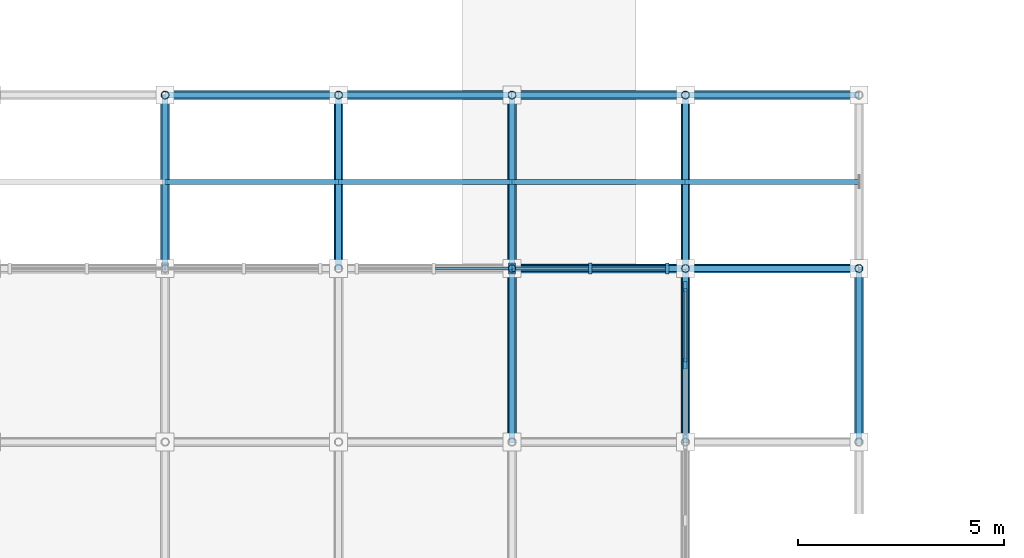
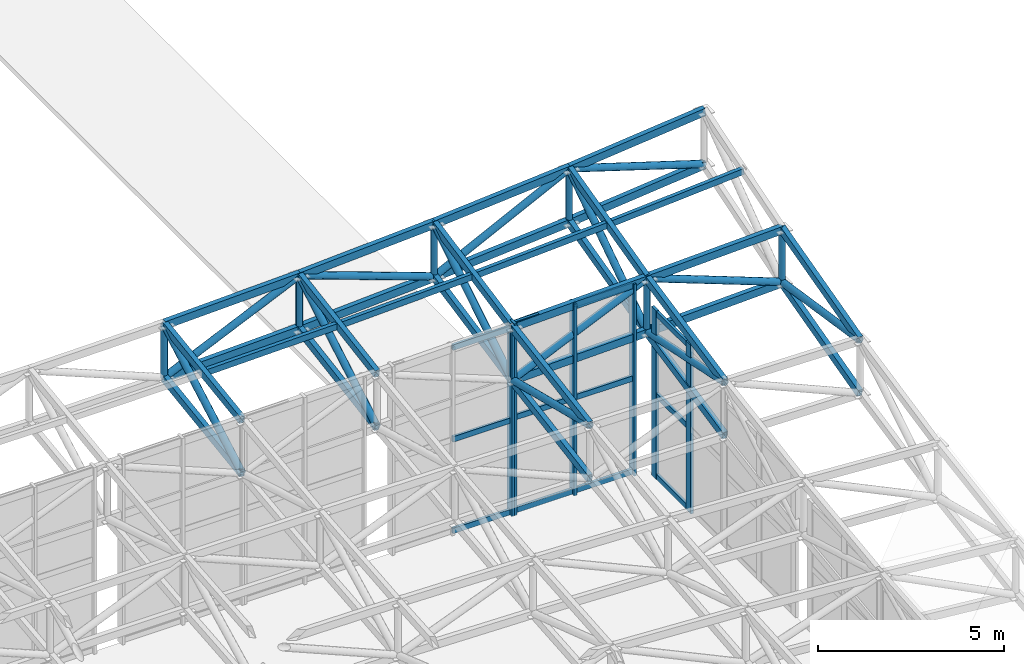
# One storey, part 36 of 132: 68 members, 3 elements without a shape of their own.
"""IFC4 building model written with IfcOpenShell, lengths in metres."""

from ifc_helpers import new_model, si_unit, direction, frame, origin, origin_2d, place, context, subcontext, project, spatial, rectangle, hollow_rectangle, hollow_circle, extrude, material, material_profile, profile_set, type_object, element, aggregate, save


model = new_model("IFC4")

# Units and contexts
model_context = context("Model", 3, precision=1e-05, world=origin(), true_north=direction((0.0, 1.0)))
body_context = subcontext(model_context, "Body", "Model", "MODEL_VIEW")
ifc_project = project(units=[si_unit("LENGTHUNIT", "METRE"), si_unit("AREAUNIT", "SQUARE_METRE"), si_unit("VOLUMEUNIT", "CUBIC_METRE"), si_unit("PLANEANGLEUNIT", "RADIAN"), si_unit("MASSUNIT", "GRAM", prefix="KILO")], contexts=[model_context])

# Site, building, storey
site_placement = place(None, origin())
site = spatial("IfcSite", under=ifc_project, at=site_placement, CompositionType="ELEMENT")
building_placement = place(site_placement, origin())
building = spatial("IfcBuilding", under=site, at=building_placement, Name="Cumbredor Promenade Congress Hotel", CompositionType="ELEMENT")
storey_placement = place(building_placement, frame((0.0, 0.0, 7.56005859375)))
storey = spatial("IfcBuildingStorey", under=building, at=storey_placement, Name="L02", CompositionType="ELEMENT", Elevation=7.56005859375)

# Curtain wall, member
ifc_material_1 = material(Name="Thermally broken anodized aluminium and low-E glass", Category="aluminium")
curtain_wall_type = type_object("IfcCurtainWallType", Name="Stepped Pavilion Clerestory Curtain Wall CW-06", PredefinedType="NOTDEFINED", material=ifc_material_1)
curtain_wall_1_placement = place(storey_placement, origin())
curtain_wall_1 = element("IfcCurtainWall", 1, at=curtain_wall_1_placement, inside=storey, type_object=curtain_wall_type, Name="Thermal Spa and Hydrotherapy Pavilion N Glazed Clerestory 7", PredefinedType="NOTDEFINED")
ifc_material_2 = material(Name="Thermally broken anodized aluminium", Category="aluminium")
ifc_material_profile_1 = material_profile(ifc_material_2, rectangle(XDim=0.0849609375, YDim=0.260009765625, at=origin_2d()), Name="ALU MULLION CLERESTORY 85x260")
ifc_profile_set_1 = profile_set([ifc_material_profile_1], Name="Thermally broken anodized aluminium")
member_type_1 = type_object("IfcMemberType", Name="Curtain Wall Mullion ML-04", PredefinedType="MULLION", material=ifc_profile_set_1)
member_1_placement = place(storey_placement, frame((104.9599609375, 50.39990234375, -0.01806640625), z_axis=(0.0, 0.0, 1.0), x_axis=(1.0, 0.0, 0.0)))
member_1 = element("IfcMember", 2, at=member_1_placement, type_object=member_type_1, Name="Thermal Spa and Hydrotherapy Pavilion N Glazed Clerestory 7 Mullion 3", PredefinedType="MULLION", context=body_context, shape_type="SweptSolid", body=[
    extrude(rectangle(XDim=0.0849609375, YDim=0.260009765625, at=origin_2d()), origin(), (0.0, 0.0, 1.0), 6.227294921875),
])

# Curtain wall, members
curtain_wall_2_placement = place(storey_placement, origin())
curtain_wall_2 = element("IfcCurtainWall", 3, at=curtain_wall_2_placement, inside=storey, type_object=curtain_wall_type, Name="Thermal Spa and Hydrotherapy Pavilion N Glazed Clerestory 8", PredefinedType="NOTDEFINED")
member_2_placement = place(storey_placement, frame((105.0400390625, 50.39990234375, -0.01806640625), z_axis=(0.0, 0.0, 1.0), x_axis=(1.0, 0.0, 0.0)))
member_2 = element("IfcMember", 4, at=member_2_placement, type_object=member_type_1, Name="Thermal Spa and Hydrotherapy Pavilion N Glazed Clerestory 8 Mullion 1", PredefinedType="MULLION", context=body_context, shape_type="SweptSolid", body=[
    extrude(rectangle(XDim=0.0849609375, YDim=0.260009765625, at=origin_2d()), origin(), (0.0, 0.0, 1.0), 6.31103515625),
])
member_3_placement = place(storey_placement, frame((106.89990234375, 50.39990234375, -0.01806640625), z_axis=(0.0, 0.0, 1.0), x_axis=(1.0, 0.0, 0.0)))
member_3 = element("IfcMember", 5, at=member_3_placement, type_object=member_type_1, Name="Thermal Spa and Hydrotherapy Pavilion N Glazed Clerestory 8 Mullion 2", PredefinedType="MULLION", context=body_context, shape_type="SweptSolid", body=[
    extrude(rectangle(XDim=0.0849609375, YDim=0.260009765625, at=origin_2d()), origin(), (0.0, 0.0, 1.0), 6.31103515625),
])
member_4_placement = place(storey_placement, frame((108.760009765625, 50.39990234375, -0.01806640625), z_axis=(0.0, 0.0, 1.0), x_axis=(1.0, 0.0, 0.0)))
member_4 = element("IfcMember", 6, at=member_4_placement, type_object=member_type_1, Name="Thermal Spa and Hydrotherapy Pavilion N Glazed Clerestory 8 Mullion 3", PredefinedType="MULLION", context=body_context, shape_type="SweptSolid", body=[
    extrude(rectangle(XDim=0.0849609375, YDim=0.260009765625, at=origin_2d()), origin(), (0.0, 0.0, 1.0), 6.31103515625),
])

curtain_wall_3_placement = place(storey_placement, origin())
curtain_wall_3 = element("IfcCurtainWall", 7, at=curtain_wall_3_placement, inside=storey, type_object=curtain_wall_type, Name="Thermal Spa and Hydrotherapy Pavilion E Glazed Clerestory 10", PredefinedType="NOTDEFINED")
member_5_placement = place(storey_placement, frame((109.199951171875, 48.10009765625, -0.01806640625), z_axis=(0.0, 0.0, 1.0), x_axis=(1.0, 0.0, 0.0)))
member_5 = element("IfcMember", 8, at=member_5_placement, type_object=member_type_1, Name="Thermal Spa and Hydrotherapy Pavilion E Glazed Clerestory 10 Mullion 2", PredefinedType="MULLION", context=body_context, shape_type="SweptSolid", body=[
    extrude(rectangle(XDim=0.0849609375, YDim=0.260009765625, at=origin_2d()), origin(), (0.0, 0.0, 1.0), 5.54931640625),
])
member_6_placement = place(storey_placement, frame((109.199951171875, 49.9599609375, -0.01806640625), z_axis=(0.0, 0.0, 1.0), x_axis=(1.0, 0.0, 0.0)))
member_6 = element("IfcMember", 9, at=member_6_placement, type_object=member_type_1, Name="Thermal Spa and Hydrotherapy Pavilion E Glazed Clerestory 10 Mullion 3", PredefinedType="MULLION", context=body_context, shape_type="SweptSolid", body=[
    extrude(rectangle(XDim=0.0849609375, YDim=0.260009765625, at=origin_2d()), origin(), (0.0, 0.0, 1.0), 5.54931640625),
])

# Member
ifc_material_profile_2 = material_profile(ifc_material_2, rectangle(XDim=0.080078125, YDim=0.179931640625, at=origin_2d()), Name="ALU TRANSOM 80x180")
ifc_profile_set_2 = profile_set([ifc_material_profile_2], Name="Thermally broken anodized aluminium")
member_type_2 = type_object("IfcMemberType", Name="Curtain Wall Transom TR-03", PredefinedType="USERDEFINED", material=ifc_profile_set_2)
member_7_placement = place(storey_placement, frame((103.142578125, 50.39990234375, 0.079833984375), z_axis=(1.0, 0.0, 0.0), x_axis=(0.0, 1.0, 0.0)))
member_7 = element("IfcMember", 10, at=member_7_placement, type_object=member_type_2, Name="Thermal Spa and Hydrotherapy Pavilion N Glazed Clerestory 7 Transom 2.1", ObjectType="TRANSOM", PredefinedType="USERDEFINED", context=body_context, shape_type="SweptSolid", body=[
    extrude(rectangle(XDim=0.080078125, YDim=0.179931640625, at=origin_2d()), origin(), (0.0, 0.0, 1.0), 1.77490234375),
])

member_8_placement = place(storey_placement, frame((103.142578125, 50.39990234375, 3.08984375), z_axis=(1.0, 0.0, 0.0), x_axis=(0.0, 1.0, 0.0)))
member_8 = element("IfcMember", 11, at=member_8_placement, type_object=member_type_2, Name="Thermal Spa and Hydrotherapy Pavilion N Glazed Clerestory 7 Transom 2.2", ObjectType="TRANSOM", PredefinedType="USERDEFINED", context=body_context, shape_type="SweptSolid", body=[
    extrude(rectangle(XDim=0.080078125, YDim=0.179931640625, at=origin_2d()), origin(), (0.0, 0.0, 1.0), 1.77490234375),
])

member_9_placement = place(storey_placement, frame((103.142578125, 50.39990234375, 6.10986328125), z_axis=(1.0, 0.0, 0.0), x_axis=(0.0, 1.0, 0.0)))
member_9 = element("IfcMember", 12, at=member_9_placement, type_object=member_type_2, Name="Thermal Spa and Hydrotherapy Pavilion N Glazed Clerestory 7 Transom 2.3", ObjectType="TRANSOM", PredefinedType="USERDEFINED", context=body_context, shape_type="SweptSolid", body=[
    extrude(rectangle(XDim=0.080078125, YDim=0.179931640625, at=origin_2d()), origin(), (0.0, 0.0, 1.0), 1.77490234375),
])

aggregate(curtain_wall_1, [member_1, member_7, member_8, member_9])

member_10_placement = place(storey_placement, frame((105.08251953125, 50.39990234375, 0.079833984375), z_axis=(1.0, 0.0, 0.0), x_axis=(0.0, 1.0, 0.0)))
member_10 = element("IfcMember", 13, at=member_10_placement, type_object=member_type_2, Name="Thermal Spa and Hydrotherapy Pavilion N Glazed Clerestory 8 Transom 1.1", ObjectType="TRANSOM", PredefinedType="USERDEFINED", context=body_context, shape_type="SweptSolid", body=[
    extrude(rectangle(XDim=0.080078125, YDim=0.179931640625, at=origin_2d()), origin(), (0.0, 0.0, 1.0), 1.77490234375),
])

member_11_placement = place(storey_placement, frame((105.08251953125, 50.39990234375, 3.139892578125), z_axis=(1.0, 0.0, 0.0), x_axis=(0.0, 1.0, 0.0)))
member_11 = element("IfcMember", 14, at=member_11_placement, type_object=member_type_2, Name="Thermal Spa and Hydrotherapy Pavilion N Glazed Clerestory 8 Transom 1.2", ObjectType="TRANSOM", PredefinedType="USERDEFINED", context=body_context, shape_type="SweptSolid", body=[
    extrude(rectangle(XDim=0.080078125, YDim=0.179931640625, at=origin_2d()), origin(), (0.0, 0.0, 1.0), 1.77490234375),
])

member_12_placement = place(storey_placement, frame((105.08251953125, 50.39990234375, 6.199951171875), z_axis=(1.0, 0.0, 0.0), x_axis=(0.0, 1.0, 0.0)))
member_12 = element("IfcMember", 15, at=member_12_placement, type_object=member_type_2, Name="Thermal Spa and Hydrotherapy Pavilion N Glazed Clerestory 8 Transom 1.3", ObjectType="TRANSOM", PredefinedType="USERDEFINED", context=body_context, shape_type="SweptSolid", body=[
    extrude(rectangle(XDim=0.080078125, YDim=0.179931640625, at=origin_2d()), origin(), (0.0, 0.0, 1.0), 1.77490234375),
])

member_13_placement = place(storey_placement, frame((106.9423828125, 50.39990234375, 0.079833984375), z_axis=(1.0, 0.0, 0.0), x_axis=(0.0, 1.0, 0.0)))
member_13 = element("IfcMember", 16, at=member_13_placement, type_object=member_type_2, Name="Thermal Spa and Hydrotherapy Pavilion N Glazed Clerestory 8 Transom 2.1", ObjectType="TRANSOM", PredefinedType="USERDEFINED", context=body_context, shape_type="SweptSolid", body=[
    extrude(rectangle(XDim=0.080078125, YDim=0.179931640625, at=origin_2d()), origin(), (0.0, 0.0, 1.0), 1.775146484375),
])

member_14_placement = place(storey_placement, frame((106.9423828125, 50.39990234375, 3.139892578125), z_axis=(1.0, 0.0, 0.0), x_axis=(0.0, 1.0, 0.0)))
member_14 = element("IfcMember", 17, at=member_14_placement, type_object=member_type_2, Name="Thermal Spa and Hydrotherapy Pavilion N Glazed Clerestory 8 Transom 2.2", ObjectType="TRANSOM", PredefinedType="USERDEFINED", context=body_context, shape_type="SweptSolid", body=[
    extrude(rectangle(XDim=0.080078125, YDim=0.179931640625, at=origin_2d()), origin(), (0.0, 0.0, 1.0), 1.775146484375),
])

member_15_placement = place(storey_placement, frame((106.9423828125, 50.39990234375, 6.199951171875), z_axis=(1.0, 0.0, 0.0), x_axis=(0.0, 1.0, 0.0)))
member_15 = element("IfcMember", 18, at=member_15_placement, type_object=member_type_2, Name="Thermal Spa and Hydrotherapy Pavilion N Glazed Clerestory 8 Transom 2.3", ObjectType="TRANSOM", PredefinedType="USERDEFINED", context=body_context, shape_type="SweptSolid", body=[
    extrude(rectangle(XDim=0.080078125, YDim=0.179931640625, at=origin_2d()), origin(), (0.0, 0.0, 1.0), 1.775146484375),
])

aggregate(curtain_wall_2, [member_2, member_3, member_4, member_10, member_11, member_12, member_13, member_14, member_15])

member_16_placement = place(storey_placement, frame((109.199951171875, 48.142578125, 0.079833984375), z_axis=(0.0, 1.0, 0.0), x_axis=(-1.0, 0.0, 0.0)))
member_16 = element("IfcMember", 19, at=member_16_placement, type_object=member_type_2, Name="Thermal Spa and Hydrotherapy Pavilion E Glazed Clerestory 10 Transom 2.1", ObjectType="TRANSOM", PredefinedType="USERDEFINED", context=body_context, shape_type="SweptSolid", body=[
    extrude(rectangle(XDim=0.080078125, YDim=0.179931640625, at=origin_2d()), origin(), (0.0, 0.0, 1.0), 1.77490234375),
])

member_17_placement = place(storey_placement, frame((109.199951171875, 48.142578125, 2.75), z_axis=(0.0, 1.0, 0.0), x_axis=(-1.0, 0.0, 0.0)))
member_17 = element("IfcMember", 20, at=member_17_placement, type_object=member_type_2, Name="Thermal Spa and Hydrotherapy Pavilion E Glazed Clerestory 10 Transom 2.2", ObjectType="TRANSOM", PredefinedType="USERDEFINED", context=body_context, shape_type="SweptSolid", body=[
    extrude(rectangle(XDim=0.080078125, YDim=0.179931640625, at=origin_2d()), origin(), (0.0, 0.0, 1.0), 1.77490234375),
])

member_18_placement = place(storey_placement, frame((109.199951171875, 48.142578125, 5.429931640625), z_axis=(0.0, 1.0, 0.0), x_axis=(-1.0, 0.0, 0.0)))
member_18 = element("IfcMember", 21, at=member_18_placement, type_object=member_type_2, Name="Thermal Spa and Hydrotherapy Pavilion E Glazed Clerestory 10 Transom 2.3", ObjectType="TRANSOM", PredefinedType="USERDEFINED", context=body_context, shape_type="SweptSolid", body=[
    extrude(rectangle(XDim=0.080078125, YDim=0.179931640625, at=origin_2d()), origin(), (0.0, 0.0, 1.0), 1.77490234375),
])

aggregate(curtain_wall_3, [member_5, member_6, member_16, member_17, member_18])

# Members
ifc_material_3 = material(Name="Steel ASTM A500 Grade C", Category="steel")
ifc_material_profile_3 = material_profile(ifc_material_3, hollow_rectangle(XDim=0.1201171875, YDim=0.199951171875, WallThickness=0.010009765625, at=origin_2d()), Name="HSS 200x120x10")
ifc_profile_set_3 = profile_set([ifc_material_profile_3], Name="Steel ASTM A500 Grade C")
member_type_3 = type_object("IfcMemberType", Name="Roof Purlin HSS200x120", PredefinedType="PURLIN", material=ifc_profile_set_3)
member_19_placement = place(storey_placement, frame((96.60009765625, 52.5, 6.28759765625), z_axis=(0.999735162521, 0.0, 0.023013144472), x_axis=(0.0, 1.0, 0.0)))
element("IfcMember", 22, at=member_19_placement, inside=storey, type_object=member_type_3, Name="Thermal Spa and Hydrotherapy Pavilion Roof Eave Purlin 7.13", PredefinedType="PURLIN", context=body_context, shape_type="SweptSolid", body=[
    extrude(hollow_rectangle(XDim=0.1201171875, YDim=0.199951171875, WallThickness=0.010009765625, at=origin_2d()), origin(), (0.0, 0.0, 1.0), 4.201171875),
])
member_20_placement = place(storey_placement, frame((100.800048828125, 52.5, 6.38427734375), z_axis=(0.999267082996, 0.0, 0.038279195936), x_axis=(0.0, 1.0, 0.0)))
element("IfcMember", 23, at=member_20_placement, inside=storey, type_object=member_type_3, Name="Thermal Spa and Hydrotherapy Pavilion Roof Eave Purlin 8.13", PredefinedType="PURLIN", context=body_context, shape_type="SweptSolid", body=[
    extrude(hollow_rectangle(XDim=0.1201171875, YDim=0.199951171875, WallThickness=0.010009765625, at=origin_2d()), origin(), (0.0, 0.0, 1.0), 4.203125),
])
member_21_placement = place(storey_placement, frame((105.0, 52.5, 6.545166015625), z_axis=(0.998569958899, 0.0, 0.05346061339), x_axis=(0.0, 1.0, 0.0)))
element("IfcMember", 24, at=member_21_placement, inside=storey, type_object=member_type_3, Name="Thermal Spa and Hydrotherapy Pavilion Roof Eave Purlin 9.13", PredefinedType="PURLIN", context=body_context, shape_type="SweptSolid", body=[
    extrude(hollow_rectangle(XDim=0.1201171875, YDim=0.199951171875, WallThickness=0.010009765625, at=origin_2d()), origin(), (0.0, 0.0, 1.0), 4.2060546875),
])
member_22_placement = place(storey_placement, frame((109.199951171875, 52.5, 6.77001953125), z_axis=(0.997588004809, 0.0, 0.06941305829), x_axis=(0.0, 1.0, 0.0)))
element("IfcMember", 25, at=member_22_placement, inside=storey, type_object=member_type_3, Name="Thermal Spa and Hydrotherapy Pavilion Roof Eave Purlin 10.13", PredefinedType="PURLIN", context=body_context, shape_type="SweptSolid", body=[
    extrude(hollow_rectangle(XDim=0.1201171875, YDim=0.199951171875, WallThickness=0.010009765625, at=origin_2d()), origin(), (0.0, 0.0, 1.0), 4.210205078125),
])
ifc_material_profile_4 = material_profile(ifc_material_3, hollow_rectangle(XDim=0.14990234375, YDim=0.25, WallThickness=0.012451171875, at=origin_2d()), Name="HSS 250x150x12.5")
ifc_profile_set_4 = profile_set([ifc_material_profile_4], Name="Steel ASTM A500 Grade C")
member_type_4 = type_object("IfcMemberType", Name="Spa Roof Space Frame Chord", PredefinedType="CHORD", material=ifc_profile_set_4)
for number, where, z_axis, x_axis, name in (
    (26, (105.0, 50.39990234375, 6.14208984375), (0.999612581625, 0.0, 0.027833193431), (0.0, 1.0, 0.0), "Thermal Spa and Hydrotherapy Pavilion X Top Chord 9.13"),
    (27, (105.0, 50.39990234375, 4.39208984375), (0.999612581625, 0.0, 0.027833193431), (0.0, 1.0, 0.0), "Thermal Spa and Hydrotherapy Pavilion X Bottom Chord 9.13"),
):
    element("IfcMember", number, at=place(storey_placement, frame(where, z_axis=z_axis, x_axis=x_axis)), inside=storey, type_object=member_type_4, Name=name, PredefinedType="CHORD", context=body_context, shape_type="SweptSolid", body=[
        extrude(hollow_rectangle(XDim=0.14990234375, YDim=0.25, WallThickness=0.012451171875, at=origin_2d()), origin(), (0.0, 0.0, 1.0), 4.20166015625),
    ])
for number, where, z_axis, x_axis, name in (
    (28, (109.199951171875, 50.39990234375, 6.259033203125), (0.999313002329, 0.0, 0.037061076294), (0.0, 1.0, 0.0), "Thermal Spa and Hydrotherapy Pavilion X Top Chord 10.13"),
    (29, (109.199951171875, 50.39990234375, 4.509033203125), (0.999313002329, 0.0, 0.037061076294), (0.0, 1.0, 0.0), "Thermal Spa and Hydrotherapy Pavilion X Bottom Chord 10.13"),
):
    element("IfcMember", number, at=place(storey_placement, frame(where, z_axis=z_axis, x_axis=x_axis)), inside=storey, type_object=member_type_4, Name=name, PredefinedType="CHORD", context=body_context, shape_type="SweptSolid", body=[
        extrude(hollow_rectangle(XDim=0.14990234375, YDim=0.25, WallThickness=0.012451171875, at=origin_2d()), origin(), (0.0, 0.0, 1.0), 4.202880859375),
    ])
for number, where, z_axis, x_axis, name in (
    (30, (96.60009765625, 54.60009765625, 6.607421875), (0.999422307276, 0.0, 0.033986051837), (0.0, 1.0, 0.0), "Thermal Spa and Hydrotherapy Pavilion X Top Chord 7.14"),
    (31, (96.60009765625, 54.60009765625, 4.857421875), (0.999422307276, 0.0, 0.033986051837), (0.0, 1.0, 0.0), "Thermal Spa and Hydrotherapy Pavilion X Bottom Chord 7.14"),
):
    element("IfcMember", number, at=place(storey_placement, frame(where, z_axis=z_axis, x_axis=x_axis)), inside=storey, type_object=member_type_4, Name=name, PredefinedType="CHORD", context=body_context, shape_type="SweptSolid", body=[
        extrude(hollow_rectangle(XDim=0.14990234375, YDim=0.25, WallThickness=0.012451171875, at=origin_2d()), origin(), (0.0, 0.0, 1.0), 4.202392578125),
    ])
for number, where, z_axis, x_axis, name in (
    (32, (100.800048828125, 54.60009765625, 6.750244140625), (0.998397765356, 0.0, 0.056585352626), (0.0, 1.0, 0.0), "Thermal Spa and Hydrotherapy Pavilion X Top Chord 8.14"),
    (33, (100.800048828125, 54.60009765625, 5.000244140625), (0.998397765356, 0.0, 0.056585352626), (0.0, 1.0, 0.0), "Thermal Spa and Hydrotherapy Pavilion X Bottom Chord 8.14"),
):
    element("IfcMember", number, at=place(storey_placement, frame(where, z_axis=z_axis, x_axis=x_axis)), inside=storey, type_object=member_type_4, Name=name, PredefinedType="CHORD", context=body_context, shape_type="SweptSolid", body=[
        extrude(hollow_rectangle(XDim=0.14990234375, YDim=0.25, WallThickness=0.012451171875, at=origin_2d()), origin(), (0.0, 0.0, 1.0), 4.206787109375),
    ])
for number, where, z_axis, x_axis, name in (
    (34, (105.0, 54.60009765625, 6.98828125), (0.996875975004, 0.0, 0.07898284915), (0.0, 1.0, 0.0), "Thermal Spa and Hydrotherapy Pavilion X Top Chord 9.14"),
    (35, (105.0, 54.60009765625, 5.23828125), (0.996875975004, 0.0, 0.07898284915), (0.0, 1.0, 0.0), "Thermal Spa and Hydrotherapy Pavilion X Bottom Chord 9.14"),
):
    element("IfcMember", number, at=place(storey_placement, frame(where, z_axis=z_axis, x_axis=x_axis)), inside=storey, type_object=member_type_4, Name=name, PredefinedType="CHORD", context=body_context, shape_type="SweptSolid", body=[
        extrude(hollow_rectangle(XDim=0.14990234375, YDim=0.25, WallThickness=0.012451171875, at=origin_2d()), origin(), (0.0, 0.0, 1.0), 4.213134765625),
    ])
for number, where, z_axis, x_axis, name in (
    (36, (109.199951171875, 54.60009765625, 7.321044921875), (0.994830685569, 0.0, 0.101547560534), (0.0, 1.0, 0.0), "Thermal Spa and Hydrotherapy Pavilion X Top Chord 10.14"),
    (37, (109.199951171875, 54.60009765625, 5.571044921875), (0.994830685569, 0.0, 0.101547560534), (0.0, 1.0, 0.0), "Thermal Spa and Hydrotherapy Pavilion X Bottom Chord 10.14"),
):
    element("IfcMember", number, at=place(storey_placement, frame(where, z_axis=z_axis, x_axis=x_axis)), inside=storey, type_object=member_type_4, Name=name, PredefinedType="CHORD", context=body_context, shape_type="SweptSolid", body=[
        extrude(hollow_rectangle(XDim=0.14990234375, YDim=0.25, WallThickness=0.012451171875, at=origin_2d()), origin(), (0.0, 0.0, 1.0), 4.2216796875),
    ])
for number, where, z_axis, x_axis, name in (
    (38, (96.60009765625, 50.39990234375, 6.008056640625), (0.0, 0.989971348203, 0.141268289923), (-1.0, 0.0, 0.0), "Thermal Spa and Hydrotherapy Pavilion Y Top Chord 7.13"),
    (39, (96.60009765625, 50.39990234375, 4.258056640625), (0.0, 0.989971348203, 0.141268289923), (-1.0, 0.0, 0.0), "Thermal Spa and Hydrotherapy Pavilion Y Bottom Chord 7.13"),
):
    element("IfcMember", number, at=place(storey_placement, frame(where, z_axis=z_axis, x_axis=x_axis)), inside=storey, type_object=member_type_4, Name=name, PredefinedType="CHORD", context=body_context, shape_type="SweptSolid", body=[
        extrude(hollow_rectangle(XDim=0.14990234375, YDim=0.25, WallThickness=0.012451171875, at=origin_2d()), origin(), (0.0, 0.0, 1.0), 4.24267578125),
    ])
for number, where, z_axis, x_axis, name in (
    (40, (100.800048828125, 50.39990234375, 6.058349609375), (0.0, 0.986702186568, 0.162538595486), (-1.0, 0.0, 0.0), "Thermal Spa and Hydrotherapy Pavilion Y Top Chord 8.13"),
    (41, (100.800048828125, 50.39990234375, 4.308349609375), (0.0, 0.986702186568, 0.162538595486), (-1.0, 0.0, 0.0), "Thermal Spa and Hydrotherapy Pavilion Y Bottom Chord 8.13"),
):
    element("IfcMember", number, at=place(storey_placement, frame(where, z_axis=z_axis, x_axis=x_axis)), inside=storey, type_object=member_type_4, Name=name, PredefinedType="CHORD", context=body_context, shape_type="SweptSolid", body=[
        extrude(hollow_rectangle(XDim=0.14990234375, YDim=0.25, WallThickness=0.012451171875, at=origin_2d()), origin(), (0.0, 0.0, 1.0), 4.2568359375),
    ])
for number, where, z_axis, x_axis, name in (
    (42, (105.0, 46.199951171875, 5.44091796875), (0.0, 0.986348948056, 0.164668614708), (-1.0, 0.0, 0.0), "Thermal Spa and Hydrotherapy Pavilion Y Top Chord 9.12"),
    (43, (105.0, 46.199951171875, 3.69091796875), (0.0, 0.986348948056, 0.164668614708), (-1.0, 0.0, 0.0), "Thermal Spa and Hydrotherapy Pavilion Y Bottom Chord 9.12"),
):
    element("IfcMember", number, at=place(storey_placement, frame(where, z_axis=z_axis, x_axis=x_axis)), inside=storey, type_object=member_type_4, Name=name, PredefinedType="CHORD", context=body_context, shape_type="SweptSolid", body=[
        extrude(hollow_rectangle(XDim=0.14990234375, YDim=0.25, WallThickness=0.012451171875, at=origin_2d()), origin(), (0.0, 0.0, 1.0), 4.258056640625),
    ])
for number, where, z_axis, x_axis, name in (
    (44, (105.0, 50.39990234375, 6.14208984375), (0.0, 0.980303564272, 0.197496637629), (-1.0, 0.0, 0.0), "Thermal Spa and Hydrotherapy Pavilion Y Top Chord 9.13"),
    (45, (105.0, 50.39990234375, 4.39208984375), (0.0, 0.980303564272, 0.197496637629), (-1.0, 0.0, 0.0), "Thermal Spa and Hydrotherapy Pavilion Y Bottom Chord 9.13"),
):
    element("IfcMember", number, at=place(storey_placement, frame(where, z_axis=z_axis, x_axis=x_axis)), inside=storey, type_object=member_type_4, Name=name, PredefinedType="CHORD", context=body_context, shape_type="SweptSolid", body=[
        extrude(hollow_rectangle(XDim=0.14990234375, YDim=0.25, WallThickness=0.012451171875, at=origin_2d()), origin(), (0.0, 0.0, 1.0), 4.28466796875),
    ])
for number, where, z_axis, x_axis, name in (
    (46, (109.199951171875, 46.199951171875, 5.380126953125), (0.0, 0.97879778836, 0.204828927402), (-1.0, 0.0, 0.0), "Thermal Spa and Hydrotherapy Pavilion Y Top Chord 10.12"),
    (47, (109.199951171875, 46.199951171875, 3.630126953125), (0.0, 0.97879778836, 0.204828927402), (-1.0, 0.0, 0.0), "Thermal Spa and Hydrotherapy Pavilion Y Bottom Chord 10.12"),
):
    element("IfcMember", number, at=place(storey_placement, frame(where, z_axis=z_axis, x_axis=x_axis)), inside=storey, type_object=member_type_4, Name=name, PredefinedType="CHORD", context=body_context, shape_type="SweptSolid", body=[
        extrude(hollow_rectangle(XDim=0.14990234375, YDim=0.25, WallThickness=0.012451171875, at=origin_2d()), origin(), (0.0, 0.0, 1.0), 4.291015625),
    ])
for number, where, z_axis, x_axis, name in (
    (48, (109.199951171875, 50.39990234375, 6.259033203125), (0.0, 0.969489307426, 0.245133601913), (-1.0, 0.0, 0.0), "Thermal Spa and Hydrotherapy Pavilion Y Top Chord 10.13"),
    (49, (109.199951171875, 50.39990234375, 4.509033203125), (0.0, 0.969489307426, 0.245133601913), (-1.0, 0.0, 0.0), "Thermal Spa and Hydrotherapy Pavilion Y Bottom Chord 10.13"),
):
    element("IfcMember", number, at=place(storey_placement, frame(where, z_axis=z_axis, x_axis=x_axis)), inside=storey, type_object=member_type_4, Name=name, PredefinedType="CHORD", context=body_context, shape_type="SweptSolid", body=[
        extrude(hollow_rectangle(XDim=0.14990234375, YDim=0.25, WallThickness=0.012451171875, at=origin_2d()), origin(), (0.0, 0.0, 1.0), 4.332275390625),
    ])
for number, where, z_axis, x_axis, name in (
    (50, (113.39990234375, 46.199951171875, 5.30615234375), (0.0, 0.966882060335, 0.255223591), (-1.0, 0.0, 0.0), "Thermal Spa and Hydrotherapy Pavilion Y Top Chord 11.12"),
    (51, (113.39990234375, 46.199951171875, 3.55615234375), (0.0, 0.966882060335, 0.255223591), (-1.0, 0.0, 0.0), "Thermal Spa and Hydrotherapy Pavilion Y Bottom Chord 11.12"),
):
    element("IfcMember", number, at=place(storey_placement, frame(where, z_axis=z_axis, x_axis=x_axis)), inside=storey, type_object=member_type_4, Name=name, PredefinedType="CHORD", context=body_context, shape_type="SweptSolid", body=[
        extrude(hollow_rectangle(XDim=0.14990234375, YDim=0.25, WallThickness=0.012451171875, at=origin_2d()), origin(), (0.0, 0.0, 1.0), 4.34375),
    ])
ifc_material_profile_5 = material_profile(ifc_material_3, hollow_circle(Radius=0.109619140625, WallThickness=0.012451171875, at=origin_2d()), Name="CHS 219.1x12.5")
ifc_profile_set_5 = profile_set([ifc_material_profile_5], Name="Steel ASTM A500 Grade C")
member_type_5 = type_object("IfcMemberType", Name="Space Frame Web Diagonal D1", PredefinedType="BRACE", material=ifc_profile_set_5)
member_23_placement = place(storey_placement, frame((105.0, 50.39990234375, 4.39208984375), z_axis=(0.913787452289, 0.0, 0.406192678466), x_axis=(0.0, 1.0, 0.0)))
element("IfcMember", 52, at=member_23_placement, inside=storey, type_object=member_type_5, Name="Thermal Spa and Hydrotherapy Pavilion X Web Diagonal 9.13", PredefinedType="BRACE", context=body_context, shape_type="SweptSolid", body=[
    extrude(hollow_circle(Radius=0.109619140625, WallThickness=0.012451171875, at=origin_2d()), origin(), (0.0, 0.0, 1.0), 4.59619140625),
])
member_24_placement = place(storey_placement, frame((109.199951171875, 50.39990234375, 6.259033203125), z_axis=(0.934912365015, 0.0, -0.354878669043), x_axis=(0.0, 1.0, 0.0)))
element("IfcMember", 53, at=member_24_placement, inside=storey, type_object=member_type_5, Name="Thermal Spa and Hydrotherapy Pavilion X Web Diagonal 10.13", PredefinedType="BRACE", context=body_context, shape_type="SweptSolid", body=[
    extrude(hollow_circle(Radius=0.109619140625, WallThickness=0.012451171875, at=origin_2d()), origin(), (0.0, 0.0, 1.0), 4.492431640625),
])
member_25_placement = place(storey_placement, frame((96.60009765625, 54.60009765625, 4.857421875), z_axis=(0.911690315674, 0.0, 0.41087804554), x_axis=(0.0, 1.0, 0.0)))
element("IfcMember", 54, at=member_25_placement, inside=storey, type_object=member_type_5, Name="Thermal Spa and Hydrotherapy Pavilion X Web Diagonal 7.14", PredefinedType="BRACE", context=body_context, shape_type="SweptSolid", body=[
    extrude(hollow_circle(Radius=0.109619140625, WallThickness=0.012451171875, at=origin_2d()), origin(), (0.0, 0.0, 1.0), 4.606689453125),
])
member_26_placement = place(storey_placement, frame((100.800048828125, 54.60009765625, 6.750244140625), z_axis=(0.940888806307, 0.0, -0.338715594807), x_axis=(0.0, 1.0, 0.0)))
element("IfcMember", 55, at=member_26_placement, inside=storey, type_object=member_type_5, Name="Thermal Spa and Hydrotherapy Pavilion X Web Diagonal 8.14", PredefinedType="BRACE", context=body_context, shape_type="SweptSolid", body=[
    extrude(hollow_circle(Radius=0.109619140625, WallThickness=0.012451171875, at=origin_2d()), origin(), (0.0, 0.0, 1.0), 4.4638671875),
])
member_27_placement = place(storey_placement, frame((105.0, 54.60009765625, 5.23828125), z_axis=(0.89589095667, 0.0, 0.444274007519), x_axis=(0.0, 1.0, 0.0)))
element("IfcMember", 56, at=member_27_placement, inside=storey, type_object=member_type_5, Name="Thermal Spa and Hydrotherapy Pavilion X Web Diagonal 9.14", PredefinedType="BRACE", context=body_context, shape_type="SweptSolid", body=[
    extrude(hollow_circle(Radius=0.109619140625, WallThickness=0.012451171875, at=origin_2d()), origin(), (0.0, 0.0, 1.0), 4.68798828125),
])
member_28_placement = place(storey_placement, frame((109.199951171875, 54.60009765625, 7.321044921875), z_axis=(0.953908938115, 0.0, -0.300096214211), x_axis=(0.0, 1.0, 0.0)))
element("IfcMember", 57, at=member_28_placement, inside=storey, type_object=member_type_5, Name="Thermal Spa and Hydrotherapy Pavilion X Web Diagonal 10.14", PredefinedType="BRACE", context=body_context, shape_type="SweptSolid", body=[
    extrude(hollow_circle(Radius=0.109619140625, WallThickness=0.012451171875, at=origin_2d()), origin(), (0.0, 0.0, 1.0), 4.40283203125),
])
member_29_placement = place(storey_placement, frame((96.60009765625, 50.39990234375, 4.258056640625), z_axis=(0.0, 0.872748989032, 0.488169235146), x_axis=(-1.0, 0.0, 0.0)))
element("IfcMember", 58, at=member_29_placement, inside=storey, type_object=member_type_5, Name="Thermal Spa and Hydrotherapy Pavilion Y Web Diagonal 7.13", PredefinedType="BRACE", context=body_context, shape_type="SweptSolid", body=[
    extrude(hollow_circle(Radius=0.109619140625, WallThickness=0.012451171875, at=origin_2d()), origin(), (0.0, 0.0, 1.0), 4.8125),
])
member_30_placement = place(storey_placement, frame((100.800048828125, 50.39990234375, 4.308349609375), z_axis=(0.0, 0.86451429564, 0.502608229772), x_axis=(-1.0, 0.0, 0.0)))
element("IfcMember", 59, at=member_30_placement, inside=storey, type_object=member_type_5, Name="Thermal Spa and Hydrotherapy Pavilion Y Web Diagonal 8.13", PredefinedType="BRACE", context=body_context, shape_type="SweptSolid", body=[
    extrude(hollow_circle(Radius=0.109619140625, WallThickness=0.012451171875, at=origin_2d()), origin(), (0.0, 0.0, 1.0), 4.8583984375),
])
member_31_placement = place(storey_placement, frame((105.0, 46.199951171875, 5.44091796875), z_axis=(0.0, 0.970205499837, -0.242283487026), x_axis=(-1.0, 0.0, 0.0)))
element("IfcMember", 60, at=member_31_placement, inside=storey, type_object=member_type_5, Name="Thermal Spa and Hydrotherapy Pavilion Y Web Diagonal 9.12", PredefinedType="BRACE", context=body_context, shape_type="SweptSolid", body=[
    extrude(hollow_circle(Radius=0.109619140625, WallThickness=0.012451171875, at=origin_2d()), origin(), (0.0, 0.0, 1.0), 4.328857421875),
])
member_32_placement = place(storey_placement, frame((105.0, 50.39990234375, 4.39208984375), z_axis=(0.0, 0.850621105315, 0.525779169607), x_axis=(-1.0, 0.0, 0.0)))
element("IfcMember", 61, at=member_32_placement, inside=storey, type_object=member_type_5, Name="Thermal Spa and Hydrotherapy Pavilion Y Web Diagonal 9.13", PredefinedType="BRACE", context=body_context, shape_type="SweptSolid", body=[
    extrude(hollow_circle(Radius=0.109619140625, WallThickness=0.012451171875, at=origin_2d()), origin(), (0.0, 0.0, 1.0), 4.937744140625),
])
member_33_placement = place(storey_placement, frame((109.199951171875, 46.199951171875, 5.380126953125), z_axis=(0.0, 0.979161393895, -0.20308363968), x_axis=(-1.0, 0.0, 0.0)))
element("IfcMember", 62, at=member_33_placement, inside=storey, type_object=member_type_5, Name="Thermal Spa and Hydrotherapy Pavilion Y Web Diagonal 10.12", PredefinedType="BRACE", context=body_context, shape_type="SweptSolid", body=[
    extrude(hollow_circle(Radius=0.109619140625, WallThickness=0.012451171875, at=origin_2d()), origin(), (0.0, 0.0, 1.0), 4.289306640625),
])
member_34_placement = place(storey_placement, frame((109.199951171875, 50.39990234375, 4.509033203125), z_axis=(0.0, 0.830963796764, 0.556326494486), x_axis=(-1.0, 0.0, 0.0)))
element("IfcMember", 63, at=member_34_placement, inside=storey, type_object=member_type_5, Name="Thermal Spa and Hydrotherapy Pavilion Y Web Diagonal 10.13", PredefinedType="BRACE", context=body_context, shape_type="SweptSolid", body=[
    extrude(hollow_circle(Radius=0.109619140625, WallThickness=0.012451171875, at=origin_2d()), origin(), (0.0, 0.0, 1.0), 5.0546875),
])
member_35_placement = place(storey_placement, frame((113.39990234375, 46.199951171875, 5.30615234375), z_axis=(0.0, 0.988540484671, -0.150955987516), x_axis=(-1.0, 0.0, 0.0)))
element("IfcMember", 64, at=member_35_placement, inside=storey, type_object=member_type_5, Name="Thermal Spa and Hydrotherapy Pavilion Y Web Diagonal 11.12", PredefinedType="BRACE", context=body_context, shape_type="SweptSolid", body=[
    extrude(hollow_circle(Radius=0.109619140625, WallThickness=0.012451171875, at=origin_2d()), origin(), (0.0, 0.0, 1.0), 4.24853515625),
])
ifc_material_profile_6 = material_profile(ifc_material_3, hollow_circle(Radius=0.096923828125, WallThickness=0.010009765625, at=origin_2d()), Name="CHS 193.7x10")
ifc_profile_set_6 = profile_set([ifc_material_profile_6], Name="Steel ASTM A500 Grade C")
member_type_6 = type_object("IfcMemberType", Name="Space Frame Web Post P1", PredefinedType="BRACE", material=ifc_profile_set_6)
for number, where, z_axis, x_axis, name in (
    (65, (96.60009765625, 54.60009765625, 4.857421875), (0.0, 0.0, 1.0), (1.0, 0.0, 0.0), "Thermal Spa and Hydrotherapy Pavilion Space Frame Web Post 7.14"),
    (66, (100.800048828125, 54.60009765625, 5.000244140625), (0.0, 0.0, 1.0), (1.0, 0.0, 0.0), "Thermal Spa and Hydrotherapy Pavilion Space Frame Web Post 8.14"),
    (67, (105.0, 50.39990234375, 4.39208984375), (0.0, 0.0, 1.0), (1.0, 0.0, 0.0), "Thermal Spa and Hydrotherapy Pavilion Space Frame Web Post 9.13"),
    (68, (105.0, 54.60009765625, 5.23828125), (0.0, 0.0, 1.0), (1.0, 0.0, 0.0), "Thermal Spa and Hydrotherapy Pavilion Space Frame Web Post 9.14"),
    (69, (109.199951171875, 50.39990234375, 4.509033203125), (0.0, 0.0, 1.0), (1.0, 0.0, 0.0), "Thermal Spa and Hydrotherapy Pavilion Space Frame Web Post 10.13"),
    (70, (109.199951171875, 54.60009765625, 5.571044921875), (0.0, 0.0, 1.0), (1.0, 0.0, 0.0), "Thermal Spa and Hydrotherapy Pavilion Space Frame Web Post 10.14"),
    (71, (113.39990234375, 50.39990234375, 4.664794921875), (0.0, 0.0, 1.0), (1.0, 0.0, 0.0), "Thermal Spa and Hydrotherapy Pavilion Space Frame Web Post 11.13"),
):
    element("IfcMember", number, at=place(storey_placement, frame(where, z_axis=z_axis, x_axis=x_axis)), inside=storey, type_object=member_type_6, Name=name, PredefinedType="BRACE", context=body_context, shape_type="SweptSolid", body=[
        extrude(hollow_circle(Radius=0.096923828125, WallThickness=0.010009765625, at=origin_2d()), origin(), (0.0, 0.0, 1.0), 1.75),
    ])

save(model, "model.ifc")
